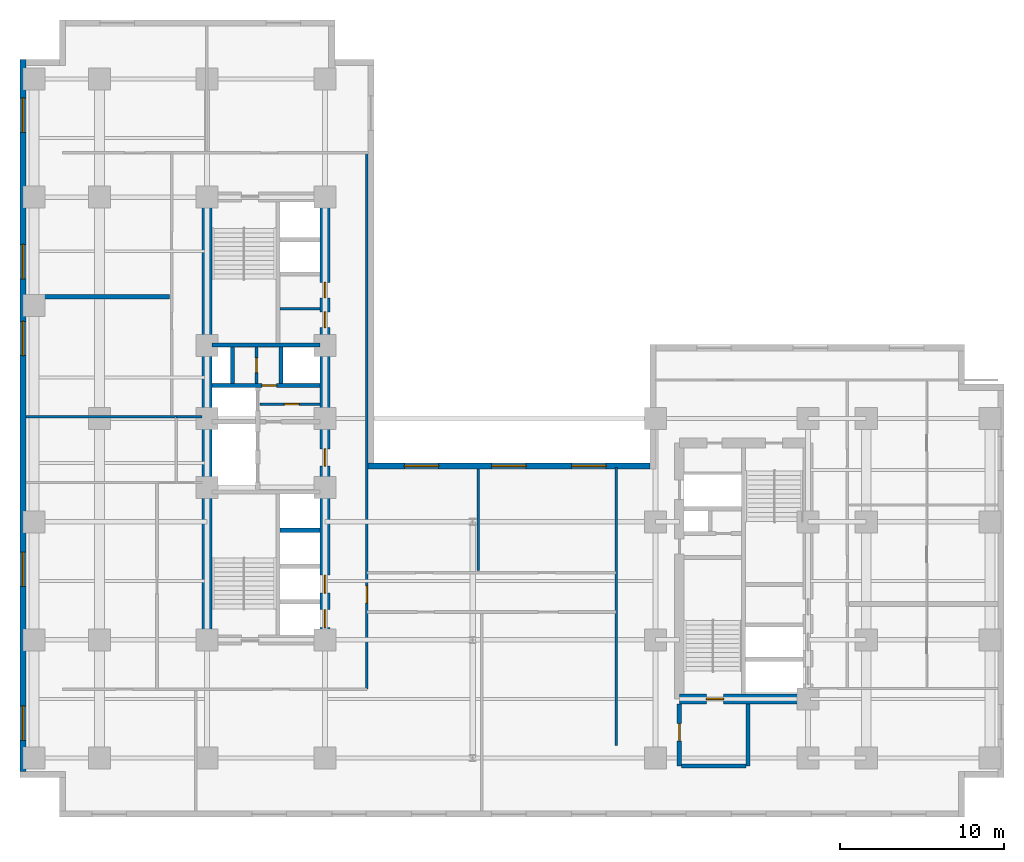
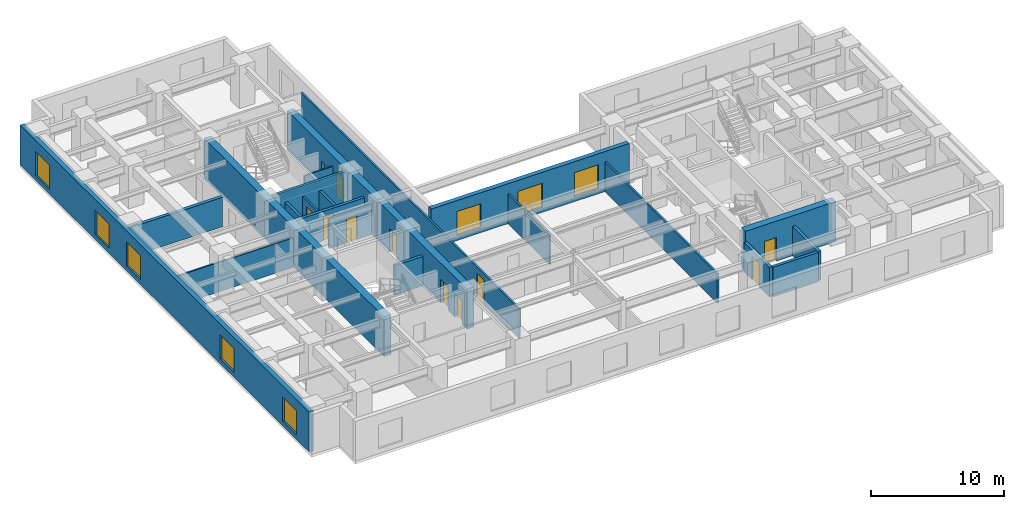
# One storey, part 4 of 9: 23 walls, 11 doors, 8 windows, 19 openings.
"""IFC4 building model written with IfcOpenShell, lengths in metres."""

from ifc_helpers import new_model, entity, si_unit, converted_unit, direction, frame, origin_with_axes, origin_2d_with_axis, place, context, subcontext, project, spatial, polyline, rectangle, outline, extrude, material, layer, layer_set, type_object, element, fill, save


model = new_model("IFC4")

# Units and contexts
model_context = context("Model", 3, precision=1e-05, world=origin_with_axes(), true_north=direction((0.0, 1.0)))
body_context = subcontext(model_context, "Body", "Model", "MODEL_VIEW")
ifc_project = project(units=[si_unit("LENGTHUNIT", "METRE"), si_unit("AREAUNIT", "SQUARE_METRE"), si_unit("VOLUMEUNIT", "CUBIC_METRE"), converted_unit("PLANEANGLEUNIT", "DEGREE", entity("IfcPlaneAngleMeasure", 0.017453292519943295), si_unit("PLANEANGLEUNIT", "RADIAN"), dimensions=[0, 0, 0, 0, 0, 0, 0]), si_unit("MASSUNIT", "GRAM", prefix="KILO"), si_unit("THERMODYNAMICTEMPERATUREUNIT", "KELVIN")], contexts=[model_context])

# Site, building, storey
site_placement = place(None, origin_with_axes())
site = spatial("IfcSite", under=ifc_project, at=site_placement, CompositionType="ELEMENT")
building_placement = place(site_placement, origin_with_axes())
building = spatial("IfcBuilding", under=site, at=building_placement, Name="Varnlund Millrace Tower", CompositionType="ELEMENT")
storey_placement = place(building_placement, frame((0.0, 0.0, 32.7), z_axis=(0.0, 0.0, 1.0), x_axis=(1.0, 0.0, 0.0)))
storey = spatial("IfcBuildingStorey", under=building, at=storey_placement, Name="L07", CompositionType="ELEMENT", Elevation=32.7)

# Wall
ifc_material_1 = material(Name="Concrete C80/95", Category="concrete")
ifc_layer_1 = layer(ifc_material_1, 0.6, Name="Concrete C80/95")
ifc_layer_set_1 = layer_set([ifc_layer_1], Name="Concrete C80/95")
wall_type_1 = type_object("IfcWallType", Name="Type-CoreWall-Shear-600-C80", PredefinedType="SHEAR", material=ifc_layer_set_1)
wall_1_placement = place(storey_placement, frame((11.4, 10.8, 0.0), z_axis=(0.0, 0.0, 1.0), x_axis=(0.0, 1.0, 0.0)))
element("IfcWall", 1, at=wall_1_placement, inside=storey, type_object=wall_type_1, Name="Type-CoreWall-Shear-600-C80", PredefinedType="SHEAR", context=body_context, shape_type="SweptSolid", body=[
    extrude(outline(polyline([(0.0, -0.3), (27.0, -0.3), (27.0, 0.3), (0.0, 0.3), (0.0, -0.3)])), origin_with_axes(), (0.0, 0.0, 1.0), 3.66),
])

# Wall, openings, doors
wall_2_placement = place(storey_placement, frame((18.6, 10.8, 0.0), z_axis=(0.0, 0.0, 1.0), x_axis=(0.0, 1.0, 0.0)))
wall_2 = element("IfcWall", 2, at=wall_2_placement, inside=storey, type_object=wall_type_1, Name="Type-CoreWall-Shear-600-C80", PredefinedType="SHEAR", context=body_context, shape_type="SweptSolid", body=[
    extrude(outline(polyline([(0.0, -0.3), (13.5, -0.3), (13.5, 0.3), (0.0, 0.3), (0.0, -0.3)])), origin_with_axes(), (0.0, 0.0, 1.0), 3.66),
])
opening_1_placement = place(wall_2_placement, frame((1.3, 0.0, 0.0), z_axis=(0.0, 0.0, 1.0), x_axis=(1.0, 0.0, 0.0)))
opening_1 = element("IfcOpeningElement", 3, at=opening_1_placement, cuts=wall_2, Name="Opening L07:LD-ELV-L1", PredefinedType="OPENING", context=body_context, shape_type="SweptSolid", body=[
    extrude(rectangle(XDim=1.1, YDim=0.62, at=origin_2d_with_axis()), origin_with_axes(), (0.0, 0.0, 1.0), 2.15),
])
opening_2_placement = place(wall_2_placement, frame((3.4, 0.0, 0.0), z_axis=(0.0, 0.0, 1.0), x_axis=(1.0, 0.0, 0.0)))
opening_2 = element("IfcOpeningElement", 4, at=opening_2_placement, cuts=wall_2, Name="Opening L07:LD-ELV-L2", PredefinedType="OPENING", context=body_context, shape_type="SweptSolid", body=[
    extrude(rectangle(XDim=1.1, YDim=0.62, at=origin_2d_with_axis()), origin_with_axes(), (0.0, 0.0, 1.0), 2.15),
])
opening_3_placement = place(wall_2_placement, frame((11.125, 0.0, 0.0), z_axis=(0.0, 0.0, 1.0), x_axis=(1.0, 0.0, 0.0)))
opening_3 = element("IfcOpeningElement", 5, at=opening_3_placement, cuts=wall_2, Name="Opening L07:DR-FFLOB-A", PredefinedType="OPENING", context=body_context, shape_type="SweptSolid", body=[
    extrude(rectangle(XDim=1.05, YDim=0.62, at=origin_2d_with_axis()), origin_with_axes(), (0.0, 0.0, 1.0), 2.15),
])
ifc_material_2 = material(Name="Smoke-barrier hollow steel fire door", Category="steel")
door_type_1 = type_object("IfcDoorType", Name="Type-FireDoor-Lobby-1050X2150", OperationType="NOTDEFINED", PredefinedType="DOOR", material=ifc_material_2)
door_1_placement = place(wall_2_placement, frame((11.125, 0.0, 0.0), z_axis=(0.0, 0.0, 1.0), x_axis=(1.0, 0.0, 0.0)))
door_1 = element("IfcDoor", 6, at=door_1_placement, inside=storey, type_object=door_type_1, Name="Type-FireDoor-Lobby-1050X2150", OperationType="SINGLE_SWING_LEFT", OverallHeight=2.15, OverallWidth=1.05, PredefinedType="DOOR", context=body_context, shape_type="SweptSolid", body=[
    extrude(rectangle(XDim=1.05, YDim=0.09, at=origin_2d_with_axis()), origin_with_axes(), (0.0, 0.0, 1.0), 2.15),
])
fill(opening_3, door_1)
ifc_material_3 = material(Name="Stainless and architectural bronze sliding landing door")
door_type_2 = type_object("IfcDoorType", Name="Type-LiftLandingDoor-1100X2150", OperationType="NOTDEFINED", PredefinedType="DOOR", material=ifc_material_3)
door_2_placement = place(wall_2_placement, frame((1.3, 0.0, 0.0), z_axis=(0.0, 0.0, 1.0), x_axis=(1.0, 0.0, 0.0)))
door_2 = element("IfcDoor", 7, at=door_2_placement, inside=storey, type_object=door_type_2, Name="Type-LiftLandingDoor-1100X2150", OperationType="SLIDING_TO_LEFT", OverallHeight=2.15, OverallWidth=1.1, PredefinedType="DOOR", context=body_context, shape_type="SweptSolid", body=[
    extrude(rectangle(XDim=1.1, YDim=0.09, at=origin_2d_with_axis()), origin_with_axes(), (0.0, 0.0, 1.0), 2.15),
])
fill(opening_1, door_2)
door_3_placement = place(wall_2_placement, frame((3.4, 0.0, 0.0), z_axis=(0.0, 0.0, 1.0), x_axis=(1.0, 0.0, 0.0)))
door_3 = element("IfcDoor", 8, at=door_3_placement, inside=storey, type_object=door_type_2, Name="Type-LiftLandingDoor-1100X2150", OperationType="SLIDING_TO_RIGHT", OverallHeight=2.15, OverallWidth=1.1, PredefinedType="DOOR", context=body_context, shape_type="SweptSolid", body=[
    extrude(rectangle(XDim=1.1, YDim=0.09, at=origin_2d_with_axis()), origin_with_axes(), (0.0, 0.0, 1.0), 2.15),
])
fill(opening_2, door_3)

wall_3_placement = place(storey_placement, frame((18.6, 24.3, 0.0), z_axis=(0.0, 0.0, 1.0), x_axis=(0.0, 1.0, 0.0)))
wall_3 = element("IfcWall", 9, at=wall_3_placement, inside=storey, type_object=wall_type_1, Name="Type-CoreWall-Shear-600-C80", PredefinedType="SHEAR", context=body_context, shape_type="SweptSolid", body=[
    extrude(outline(polyline([(0.0, -0.3), (13.5, -0.3), (13.5, 0.3), (0.0, 0.3), (0.0, -0.3)])), origin_with_axes(), (0.0, 0.0, 1.0), 3.66),
])
opening_4_placement = place(wall_3_placement, frame((6.025, 0.0, 0.0), z_axis=(0.0, 0.0, 1.0), x_axis=(1.0, 0.0, 0.0)))
opening_4 = element("IfcOpeningElement", 10, at=opening_4_placement, cuts=wall_3, Name="Opening L07:DR-CA-WC1", PredefinedType="OPENING", context=body_context, shape_type="SweptSolid", body=[
    extrude(rectangle(XDim=0.95, YDim=0.62, at=origin_2d_with_axis()), origin_with_axes(), (0.0, 0.0, 1.0), 2.15),
])
opening_5_placement = place(wall_3_placement, frame((7.825, 0.0, 0.0), z_axis=(0.0, 0.0, 1.0), x_axis=(1.0, 0.0, 0.0)))
opening_5 = element("IfcOpeningElement", 11, at=opening_5_placement, cuts=wall_3, Name="Opening L07:DR-CA-WC2", PredefinedType="OPENING", context=body_context, shape_type="SweptSolid", body=[
    extrude(rectangle(XDim=0.95, YDim=0.62, at=origin_2d_with_axis()), origin_with_axes(), (0.0, 0.0, 1.0), 2.15),
])
ifc_material_4 = material(Name="Fire-rated hollow steel core service door", Category="steel")
door_type_3 = type_object("IfcDoorType", Name="Type-FireDoor-Service-950X2150", OperationType="NOTDEFINED", PredefinedType="DOOR", material=ifc_material_4)
door_4_placement = place(wall_3_placement, frame((6.025, 0.0, 0.0), z_axis=(0.0, 0.0, 1.0), x_axis=(1.0, 0.0, 0.0)))
door_4 = element("IfcDoor", 12, at=door_4_placement, inside=storey, type_object=door_type_3, Name="Type-FireDoor-Service-950X2150", OperationType="SINGLE_SWING_RIGHT", OverallHeight=2.15, OverallWidth=0.95, PredefinedType="DOOR", context=body_context, shape_type="SweptSolid", body=[
    extrude(rectangle(XDim=0.95, YDim=0.09, at=origin_2d_with_axis()), origin_with_axes(), (0.0, 0.0, 1.0), 2.15),
])
fill(opening_4, door_4)
door_5_placement = place(wall_3_placement, frame((7.825, 0.0, 0.0), z_axis=(0.0, 0.0, 1.0), x_axis=(1.0, 0.0, 0.0)))
door_5 = element("IfcDoor", 13, at=door_5_placement, inside=storey, type_object=door_type_3, Name="Type-FireDoor-Service-950X2150", OperationType="SINGLE_SWING_RIGHT", OverallHeight=2.15, OverallWidth=0.95, PredefinedType="DOOR", context=body_context, shape_type="SweptSolid", body=[
    extrude(rectangle(XDim=0.95, YDim=0.09, at=origin_2d_with_axis()), origin_with_axes(), (0.0, 0.0, 1.0), 2.15),
])
fill(opening_5, door_5)

# Wall, opening, door
wall_4_placement = place(storey_placement, frame((40.2, 7.2, 0.0), z_axis=(0.0, 0.0, 1.0), x_axis=(1.0, 0.0, 0.0)))
wall_4 = element("IfcWall", 14, at=wall_4_placement, inside=storey, type_object=wall_type_1, Name="Type-CoreWall-Shear-600-C80", PredefinedType="SHEAR", context=body_context, shape_type="SweptSolid", body=[
    extrude(outline(polyline([(0.0, -0.3), (7.85, -0.3), (7.85, 0.3), (0.0, 0.3), (0.0, -0.3)])), origin_with_axes(), (0.0, 0.0, 1.0), 3.66),
])
opening_6_placement = place(wall_4_placement, frame((2.175, 0.0, 0.0), z_axis=(0.0, 0.0, 1.0), x_axis=(1.0, 0.0, 0.0)))
opening_6 = element("IfcOpeningElement", 15, at=opening_6_placement, cuts=wall_4, Name="Opening L07:DR-STB1", PredefinedType="OPENING", context=body_context, shape_type="SweptSolid", body=[
    extrude(rectangle(XDim=1.05, YDim=0.62, at=origin_2d_with_axis()), origin_with_axes(), (0.0, 0.0, 1.0), 2.15),
])
ifc_material_5 = material(Name="Fire-rated hollow steel door", Category="steel")
door_type_4 = type_object("IfcDoorType", Name="Type-FireDoor-Stair-1050X2150", OperationType="NOTDEFINED", PredefinedType="DOOR", material=ifc_material_5)
door_6_placement = place(wall_4_placement, frame((2.175, 0.0, 0.0), z_axis=(0.0, 0.0, 1.0), x_axis=(1.0, 0.0, 0.0)))
door_6 = element("IfcDoor", 16, at=door_6_placement, inside=storey, type_object=door_type_4, Name="Type-FireDoor-Stair-1050X2150", OperationType="SINGLE_SWING_LEFT", OverallHeight=2.15, OverallWidth=1.05, PredefinedType="DOOR", context=body_context, shape_type="SweptSolid", body=[
    extrude(rectangle(XDim=1.05, YDim=0.09, at=origin_2d_with_axis()), origin_with_axes(), (0.0, 0.0, 1.0), 2.15),
])
fill(opening_6, door_6)

# Wall, openings, windows
ifc_material_6 = material(Name="Precast concrete C50/60", Category="concrete")
ifc_layer_2 = layer(ifc_material_6, 0.38, Name="Precast concrete C50/60")
ifc_layer_set_2 = layer_set([ifc_layer_2], Name="Precast concrete C50/60")
wall_type_2 = type_object("IfcWallType", Name="Type-ExtWall-Precast-Tube-380", PredefinedType="SOLIDWALL", material=ifc_layer_set_2)
wall_5_placement = place(storey_placement, frame((0.19, 2.78, 0.0), z_axis=(0.0, 0.0, 1.0), x_axis=(0.0, 1.0, 0.0)))
wall_5 = element("IfcWall", 17, at=wall_5_placement, inside=storey, type_object=wall_type_2, Name="Type-ExtWall-Precast-Tube-380", PredefinedType="SOLIDWALL", context=body_context, shape_type="SweptSolid", body=[
    extrude(outline(polyline([(0.0, -0.19), (43.42, -0.19), (43.42, 0.19), (0.0, 0.19), (0.0, -0.19)])), origin_with_axes(), (0.0, 0.0, 1.0), 3.66),
])
opening_7_placement = place(wall_5_placement, frame((2.946, 0.0, 0.45), z_axis=(0.0, 0.0, 1.0), x_axis=(1.0, 0.0, 0.0)))
opening_7 = element("IfcOpeningElement", 18, at=opening_7_placement, cuts=wall_5, Name="Opening L07:WN-16", PredefinedType="OPENING", context=body_context, shape_type="SweptSolid", body=[
    extrude(rectangle(XDim=2.1, YDim=0.4, at=origin_2d_with_axis()), origin_with_axes(), (0.0, 0.0, 1.0), 2.2),
])
opening_8_placement = place(wall_5_placement, frame((12.328, 0.0, 0.45), z_axis=(0.0, 0.0, 1.0), x_axis=(1.0, 0.0, 0.0)))
opening_8 = element("IfcOpeningElement", 19, at=opening_8_placement, cuts=wall_5, Name="Opening L07:WN-17", PredefinedType="OPENING", context=body_context, shape_type="SweptSolid", body=[
    extrude(rectangle(XDim=2.1, YDim=0.4, at=origin_2d_with_axis()), origin_with_axes(), (0.0, 0.0, 1.0), 2.2),
])
opening_9_placement = place(wall_5_placement, frame((26.401, 0.0, 0.45), z_axis=(0.0, 0.0, 1.0), x_axis=(1.0, 0.0, 0.0)))
opening_9 = element("IfcOpeningElement", 20, at=opening_9_placement, cuts=wall_5, Name="Opening L07:WN-18", PredefinedType="OPENING", context=body_context, shape_type="SweptSolid", body=[
    extrude(rectangle(XDim=2.1, YDim=0.4, at=origin_2d_with_axis()), origin_with_axes(), (0.0, 0.0, 1.0), 2.2),
])
opening_10_placement = place(wall_5_placement, frame((31.092, 0.0, 0.45), z_axis=(0.0, 0.0, 1.0), x_axis=(1.0, 0.0, 0.0)))
opening_10 = element("IfcOpeningElement", 21, at=opening_10_placement, cuts=wall_5, Name="Opening L07:WN-19", PredefinedType="OPENING", context=body_context, shape_type="SweptSolid", body=[
    extrude(rectangle(XDim=2.1, YDim=0.4, at=origin_2d_with_axis()), origin_with_axes(), (0.0, 0.0, 1.0), 2.2),
])
opening_11_placement = place(wall_5_placement, frame((40.024, 0.0, 0.45), z_axis=(0.0, 0.0, 1.0), x_axis=(1.0, 0.0, 0.0)))
opening_11 = element("IfcOpeningElement", 22, at=opening_11_placement, cuts=wall_5, Name="Opening L07:WN-20", PredefinedType="OPENING", context=body_context, shape_type="SweptSolid", body=[
    extrude(rectangle(XDim=2.1, YDim=0.4, at=origin_2d_with_axis()), origin_with_axes(), (0.0, 0.0, 1.0), 2.2),
])
ifc_material_7 = material(Name="Argon low-e triple glazing in thermally broken bronze frame", Category="glass")
window_type = type_object("IfcWindowType", Name="Type-Window-Punched-2100X2200", PartitioningType="SINGLE_PANEL", PredefinedType="WINDOW", material=ifc_material_7)
window_1_placement = place(wall_5_placement, frame((2.946, 0.0, 0.45), z_axis=(0.0, 0.0, 1.0), x_axis=(1.0, 0.0, 0.0)))
window_1 = element("IfcWindow", 23, at=window_1_placement, inside=storey, type_object=window_type, Name="Type-Window-Punched-2100X2200", OverallHeight=2.2, OverallWidth=2.1, PredefinedType="WINDOW", context=body_context, shape_type="SweptSolid", body=[
    extrude(rectangle(XDim=2.1, YDim=0.09, at=origin_2d_with_axis()), origin_with_axes(), (0.0, 0.0, 1.0), 2.2),
])
fill(opening_7, window_1)
window_2_placement = place(wall_5_placement, frame((12.328, 0.0, 0.45), z_axis=(0.0, 0.0, 1.0), x_axis=(1.0, 0.0, 0.0)))
window_2 = element("IfcWindow", 24, at=window_2_placement, inside=storey, type_object=window_type, Name="Type-Window-Punched-2100X2200", OverallHeight=2.2, OverallWidth=2.1, PredefinedType="WINDOW", context=body_context, shape_type="SweptSolid", body=[
    extrude(rectangle(XDim=2.1, YDim=0.09, at=origin_2d_with_axis()), origin_with_axes(), (0.0, 0.0, 1.0), 2.2),
])
fill(opening_8, window_2)
window_3_placement = place(wall_5_placement, frame((26.401, 0.0, 0.45), z_axis=(0.0, 0.0, 1.0), x_axis=(1.0, 0.0, 0.0)))
window_3 = element("IfcWindow", 25, at=window_3_placement, inside=storey, type_object=window_type, Name="Type-Window-Punched-2100X2200", OverallHeight=2.2, OverallWidth=2.1, PredefinedType="WINDOW", context=body_context, shape_type="SweptSolid", body=[
    extrude(rectangle(XDim=2.1, YDim=0.09, at=origin_2d_with_axis()), origin_with_axes(), (0.0, 0.0, 1.0), 2.2),
])
fill(opening_9, window_3)
window_4_placement = place(wall_5_placement, frame((31.092, 0.0, 0.45), z_axis=(0.0, 0.0, 1.0), x_axis=(1.0, 0.0, 0.0)))
window_4 = element("IfcWindow", 26, at=window_4_placement, inside=storey, type_object=window_type, Name="Type-Window-Punched-2100X2200", OverallHeight=2.2, OverallWidth=2.1, PredefinedType="WINDOW", context=body_context, shape_type="SweptSolid", body=[
    extrude(rectangle(XDim=2.1, YDim=0.09, at=origin_2d_with_axis()), origin_with_axes(), (0.0, 0.0, 1.0), 2.2),
])
fill(opening_10, window_4)
window_5_placement = place(wall_5_placement, frame((40.024, 0.0, 0.45), z_axis=(0.0, 0.0, 1.0), x_axis=(1.0, 0.0, 0.0)))
window_5 = element("IfcWindow", 27, at=window_5_placement, inside=storey, type_object=window_type, Name="Type-Window-Punched-2100X2200", OverallHeight=2.2, OverallWidth=2.1, PredefinedType="WINDOW", context=body_context, shape_type="SweptSolid", body=[
    extrude(rectangle(XDim=2.1, YDim=0.09, at=origin_2d_with_axis()), origin_with_axes(), (0.0, 0.0, 1.0), 2.2),
])
fill(opening_11, window_5)

wall_6_placement = place(storey_placement, frame((21.22, 21.41, 0.0), z_axis=(0.0, 0.0, 1.0), x_axis=(1.0, 0.0, 0.0)))
wall_6 = element("IfcWall", 28, at=wall_6_placement, inside=storey, type_object=wall_type_2, Name="Type-ExtWall-Precast-Tube-380", PredefinedType="SOLIDWALL", context=body_context, shape_type="SweptSolid", body=[
    extrude(outline(polyline([(0.0, -0.19), (17.18, -0.19), (17.18, 0.19), (0.0, 0.19), (0.0, -0.19)])), origin_with_axes(), (0.0, 0.0, 1.0), 3.66),
])
opening_12_placement = place(wall_6_placement, frame((3.263, 0.0, 0.45), z_axis=(0.0, 0.0, 1.0), x_axis=(1.0, 0.0, 0.0)))
opening_12 = element("IfcOpeningElement", 29, at=opening_12_placement, cuts=wall_6, Name="Opening L07:WN-24", PredefinedType="OPENING", context=body_context, shape_type="SweptSolid", body=[
    extrude(rectangle(XDim=2.1, YDim=0.4, at=origin_2d_with_axis()), origin_with_axes(), (0.0, 0.0, 1.0), 2.2),
])
opening_13_placement = place(wall_6_placement, frame((8.59, 0.0, 0.45), z_axis=(0.0, 0.0, 1.0), x_axis=(1.0, 0.0, 0.0)))
opening_13 = element("IfcOpeningElement", 30, at=opening_13_placement, cuts=wall_6, Name="Opening L07:WN-25", PredefinedType="OPENING", context=body_context, shape_type="SweptSolid", body=[
    extrude(rectangle(XDim=2.1, YDim=0.4, at=origin_2d_with_axis()), origin_with_axes(), (0.0, 0.0, 1.0), 2.2),
])
opening_14_placement = place(wall_6_placement, frame((13.467, 0.0, 0.45), z_axis=(0.0, 0.0, 1.0), x_axis=(1.0, 0.0, 0.0)))
opening_14 = element("IfcOpeningElement", 31, at=opening_14_placement, cuts=wall_6, Name="Opening L07:WN-26", PredefinedType="OPENING", context=body_context, shape_type="SweptSolid", body=[
    extrude(rectangle(XDim=2.1, YDim=0.4, at=origin_2d_with_axis()), origin_with_axes(), (0.0, 0.0, 1.0), 2.2),
])
window_6_placement = place(wall_6_placement, frame((3.263, 0.0, 0.45), z_axis=(0.0, 0.0, 1.0), x_axis=(1.0, 0.0, 0.0)))
window_6 = element("IfcWindow", 32, at=window_6_placement, inside=storey, type_object=window_type, Name="Type-Window-Punched-2100X2200", OverallHeight=2.2, OverallWidth=2.1, PredefinedType="WINDOW", context=body_context, shape_type="SweptSolid", body=[
    extrude(rectangle(XDim=2.1, YDim=0.09, at=origin_2d_with_axis()), origin_with_axes(), (0.0, 0.0, 1.0), 2.2),
])
fill(opening_12, window_6)
window_7_placement = place(wall_6_placement, frame((8.59, 0.0, 0.45), z_axis=(0.0, 0.0, 1.0), x_axis=(1.0, 0.0, 0.0)))
window_7 = element("IfcWindow", 33, at=window_7_placement, inside=storey, type_object=window_type, Name="Type-Window-Punched-2100X2200", OverallHeight=2.2, OverallWidth=2.1, PredefinedType="WINDOW", context=body_context, shape_type="SweptSolid", body=[
    extrude(rectangle(XDim=2.1, YDim=0.09, at=origin_2d_with_axis()), origin_with_axes(), (0.0, 0.0, 1.0), 2.2),
])
fill(opening_13, window_7)
window_8_placement = place(wall_6_placement, frame((13.467, 0.0, 0.45), z_axis=(0.0, 0.0, 1.0), x_axis=(1.0, 0.0, 0.0)))
window_8 = element("IfcWindow", 34, at=window_8_placement, inside=storey, type_object=window_type, Name="Type-Window-Punched-2100X2200", OverallHeight=2.2, OverallWidth=2.1, PredefinedType="WINDOW", context=body_context, shape_type="SweptSolid", body=[
    extrude(rectangle(XDim=2.1, YDim=0.09, at=origin_2d_with_axis()), origin_with_axes(), (0.0, 0.0, 1.0), 2.2),
])
fill(opening_14, window_8)

# Wall
ifc_material_8 = material(Name="Double-stud STC-60 conference acoustic partition", Category="gypsum")
ifc_layer_3 = layer(ifc_material_8, 0.28, Name="Double-stud STC-60 conference acoustic partition")
ifc_layer_set_3 = layer_set([ifc_layer_3], Name="Double-stud STC-60 conference acoustic partition")
wall_type_3 = type_object("IfcWallType", Name="Type-Partition-Acoustic-280", PredefinedType="PARTITIONING", material=ifc_layer_set_3)
wall_7_placement = place(storey_placement, frame((0.375, 31.726, 0.0), z_axis=(0.0, 0.0, 1.0), x_axis=(1.0, 0.0, 0.0)))
element("IfcWall", 35, at=wall_7_placement, inside=storey, type_object=wall_type_3, Name="Type-Partition-Acoustic-280", PredefinedType="PARTITIONING", context=body_context, shape_type="SweptSolid", body=[
    extrude(outline(polyline([(0.0, -0.14), (8.755, -0.14), (8.755, 0.14), (0.0, 0.14), (0.0, -0.14)])), origin_with_axes(), (0.0, 0.0, 1.0), 2.7),
])

# Wall, opening, door
ifc_material_9 = material(Name="Fire-rated gypsum board on cold-formed steel framing", Category="steel")
ifc_layer_4 = layer(ifc_material_9, 0.16, Name="Fire-rated gypsum board on cold-formed steel framing")
ifc_layer_set_4 = layer_set([ifc_layer_4], Name="Fire-rated gypsum board on cold-formed steel framing")
wall_type_4 = type_object("IfcWallType", Name="Type-Partition-Corridor-160", PredefinedType="PARTITIONING", material=ifc_layer_set_4)
wall_8_placement = place(storey_placement, frame((14.62, 25.18, 0.0), z_axis=(0.0, 0.0, 1.0), x_axis=(1.0, 0.0, 0.0)))
wall_8 = element("IfcWall", 36, at=wall_8_placement, inside=storey, type_object=wall_type_4, Name="Type-Partition-Corridor-160", PredefinedType="PARTITIONING", context=body_context, shape_type="SweptSolid", body=[
    extrude(outline(polyline([(0.0, -0.08), (3.68, -0.08), (3.68, 0.08), (0.0, 0.08), (0.0, -0.08)])), origin_with_axes(), (0.0, 0.0, 1.0), 2.7),
])
opening_15_placement = place(wall_8_placement, frame((1.95, 0.0, 0.0), z_axis=(0.0, 0.0, 1.0), x_axis=(1.0, 0.0, 0.0)))
opening_15 = element("IfcOpeningElement", 37, at=opening_15_placement, cuts=wall_8, Name="Opening L07:DR-CA-SUB2", PredefinedType="OPENING", context=body_context, shape_type="SweptSolid", body=[
    extrude(rectangle(XDim=0.9, YDim=0.18, at=origin_2d_with_axis()), origin_with_axes(), (0.0, 0.0, 1.0), 2.15),
])
ifc_material_10 = material(Name="Painted steel riser and closet door", Category="steel")
door_type_5 = type_object("IfcDoorType", Name="Type-IntDoor-Closet-900X2150", OperationType="NOTDEFINED", PredefinedType="DOOR", material=ifc_material_10)
door_7_placement = place(wall_8_placement, frame((1.95, 0.0, 0.0), z_axis=(0.0, 0.0, 1.0), x_axis=(1.0, 0.0, 0.0)))
door_7 = element("IfcDoor", 38, at=door_7_placement, inside=storey, type_object=door_type_5, Name="Type-IntDoor-Closet-900X2150", OperationType="SINGLE_SWING_LEFT", OverallHeight=2.15, OverallWidth=0.9, PredefinedType="DOOR", context=body_context, shape_type="SweptSolid", body=[
    extrude(rectangle(XDim=0.9, YDim=0.09, at=origin_2d_with_axis()), origin_with_axes(), (0.0, 0.0, 1.0), 2.15),
])
fill(opening_15, door_7)

wall_9_placement = place(storey_placement, frame((14.42, 26.45, 0.0), z_axis=(0.0, 0.0, 1.0), x_axis=(0.0, 1.0, 0.0)))
wall_9 = element("IfcWall", 39, at=wall_9_placement, inside=storey, type_object=wall_type_4, Name="Type-Partition-Corridor-160", PredefinedType="PARTITIONING", context=body_context, shape_type="SweptSolid", body=[
    extrude(outline(polyline([(0.0, -0.08), (2.2, -0.08), (2.2, 0.08), (0.0, 0.08), (0.0, -0.08)])), origin_with_axes(), (0.0, 0.0, 1.0), 2.7),
])
opening_16_placement = place(wall_9_placement, frame((1.1, 0.0, 0.0), z_axis=(0.0, 0.0, 1.0), x_axis=(1.0, 0.0, 0.0)))
opening_16 = element("IfcOpeningElement", 40, at=opening_16_placement, cuts=wall_9, Name="Opening L07:DR-CA-EL2", PredefinedType="OPENING", context=body_context, shape_type="SweptSolid", body=[
    extrude(rectangle(XDim=0.9, YDim=0.18, at=origin_2d_with_axis()), origin_with_axes(), (0.0, 0.0, 1.0), 2.15),
])
door_8_placement = place(wall_9_placement, frame((1.1, 0.0, 0.0), z_axis=(0.0, 0.0, 1.0), x_axis=(1.0, 0.0, 0.0)))
door_8 = element("IfcDoor", 41, at=door_8_placement, inside=storey, type_object=door_type_5, Name="Type-IntDoor-Closet-900X2150", OperationType="SINGLE_SWING_LEFT", OverallHeight=2.15, OverallWidth=0.9, PredefinedType="DOOR", context=body_context, shape_type="SweptSolid", body=[
    extrude(rectangle(XDim=0.9, YDim=0.09, at=origin_2d_with_axis()), origin_with_axes(), (0.0, 0.0, 1.0), 2.15),
])
fill(opening_16, door_8)

wall_10_placement = place(storey_placement, frame((21.15, 7.8, 0.0), z_axis=(0.0, 0.0, 1.0), x_axis=(0.0, 1.0, 0.0)))
wall_10 = element("IfcWall", 42, at=wall_10_placement, inside=storey, type_object=wall_type_4, Name="Type-Partition-Corridor-160", PredefinedType="PARTITIONING", context=body_context, shape_type="SweptSolid", body=[
    extrude(outline(polyline([(0.0, -0.08), (32.7, -0.08), (32.7, 0.08), (0.0, 0.08), (0.0, -0.08)])), origin_with_axes(), (0.0, 0.0, 1.0), 2.7),
])
opening_17_placement = place(wall_10_placement, frame((5.775, 0.0, 0.0), z_axis=(0.0, 0.0, 1.0), x_axis=(1.0, 0.0, 0.0)))
opening_17 = element("IfcOpeningElement", 43, at=opening_17_placement, cuts=wall_10, Name="Opening L07:DR-KN-W", PredefinedType="OPENING", context=body_context, shape_type="SweptSolid", body=[
    extrude(rectangle(XDim=1.05, YDim=0.18, at=origin_2d_with_axis()), origin_with_axes(), (0.0, 0.0, 1.0), 2.15),
])
door_9_placement = place(wall_10_placement, frame((5.775, 0.0, 0.0), z_axis=(0.0, 0.0, 1.0), x_axis=(1.0, 0.0, 0.0)))
door_9 = element("IfcDoor", 44, at=door_9_placement, inside=storey, type_object=door_type_1, Name="Type-FireDoor-Lobby-1050X2150", OperationType="SINGLE_SWING_LEFT", OverallHeight=2.15, OverallWidth=1.05, PredefinedType="DOOR", context=body_context, shape_type="SweptSolid", body=[
    extrude(rectangle(XDim=1.05, YDim=0.09, at=origin_2d_with_axis()), origin_with_axes(), (0.0, 0.0, 1.0), 2.15),
])
fill(opening_17, door_9)

# Walls
wall_11_placement = place(storey_placement, frame((36.35, 4.35, 0.0), z_axis=(0.0, 0.0, 1.0), x_axis=(0.0, 1.0, 0.0)))
element("IfcWall", 45, at=wall_11_placement, inside=storey, type_object=wall_type_4, Name="Type-Partition-Corridor-160", PredefinedType="PARTITIONING", context=body_context, shape_type="SweptSolid", body=[
    extrude(outline(polyline([(0.0, -0.08), (16.95, -0.08), (16.95, 0.08), (0.0, 0.08), (0.0, -0.08)])), origin_with_axes(), (0.0, 0.0, 1.0), 2.7),
])
ifc_material_11 = material(Name="Acoustic STC-50 gypsum board partition", Category="gypsum")
ifc_layer_5 = layer(ifc_material_11, 0.15, Name="Acoustic STC-50 gypsum board partition")
ifc_layer_set_5 = layer_set([ifc_layer_5], Name="Acoustic STC-50 gypsum board partition")
wall_type_5 = type_object("IfcWallType", Name="Type-Partition-Demising-150", PredefinedType="PARTITIONING", material=ifc_layer_set_5)
wall_12_placement = place(storey_placement, frame((27.953, 15.02, 0.0), z_axis=(0.0, 0.0, 1.0), x_axis=(0.0, 1.0, 0.0)))
element("IfcWall", 46, at=wall_12_placement, inside=storey, type_object=wall_type_5, Name="Type-Partition-Demising-150", PredefinedType="PARTITIONING", context=body_context, shape_type="SweptSolid", body=[
    extrude(outline(polyline([(0.0, -0.075), (6.205, -0.075), (6.205, 0.075), (0.0, 0.075), (0.0, -0.075)])), origin_with_axes(), (0.0, 0.0, 1.0), 2.7),
])
ifc_material_12 = material(Name="Moisture-resistant gypsum restroom partition", Category="gypsum")
ifc_layer_6 = layer(ifc_material_12, 0.14, Name="Moisture-resistant gypsum restroom partition")
ifc_layer_set_6 = layer_set([ifc_layer_6], Name="Moisture-resistant gypsum restroom partition")
wall_type_6 = type_object("IfcWallType", Name="Type-Partition-Wet-140", PredefinedType="PARTITIONING", material=ifc_layer_set_6)
wall_13_placement = place(storey_placement, frame((15.84, 31.0, 0.0), z_axis=(0.0, 0.0, 1.0), x_axis=(1.0, 0.0, 0.0)))
element("IfcWall", 47, at=wall_13_placement, inside=storey, type_object=wall_type_6, Name="Type-Partition-Wet-140", PredefinedType="PARTITIONING", context=body_context, shape_type="SweptSolid", body=[
    extrude(outline(polyline([(0.0, -0.07), (2.46, -0.07), (2.46, 0.07), (0.0, 0.07), (0.0, -0.07)])), origin_with_axes(), (0.0, 0.0, 1.0), 2.7),
])
wall_14_placement = place(storey_placement, frame((9.52, 24.4, 0.0), z_axis=(0.0, 0.0, 1.0), x_axis=(1.0, 0.0, 0.0)))
element("IfcWall", 48, at=wall_14_placement, inside=storey, type_object=wall_type_6, Name="Type-Partition-Wet-140", PredefinedType="PARTITIONING", context=body_context, shape_type="SweptSolid", body=[
    extrude(outline(polyline([(0.0, -0.07), (1.58, -0.07), (1.58, 0.07), (0.0, 0.07), (0.0, -0.07)])), origin_with_axes(), (0.0, 0.0, 1.0), 2.7),
])
wall_15_placement = place(storey_placement, frame((0.36, 24.4, 0.0), z_axis=(0.0, 0.0, 1.0), x_axis=(1.0, 0.0, 0.0)))
element("IfcWall", 49, at=wall_15_placement, inside=storey, type_object=wall_type_6, Name="Type-Partition-Wet-140", PredefinedType="PARTITIONING", context=body_context, shape_type="SweptSolid", body=[
    extrude(outline(polyline([(0.0, -0.07), (9.16, -0.07), (9.16, 0.07), (0.0, 0.07), (0.0, -0.07)])), origin_with_axes(), (0.0, 0.0, 1.0), 2.7),
])

# Wall, opening, door
ifc_material_13 = material(Name="Concrete C60/75", Category="concrete")
ifc_layer_7 = layer(ifc_material_13, 0.25, Name="Concrete C60/75")
ifc_layer_set_7 = layer_set([ifc_layer_7], Name="Concrete C60/75")
wall_type_7 = type_object("IfcWallType", Name="Type-ShaftWall-Fire-250", PredefinedType="SOLIDWALL", material=ifc_layer_set_7)
wall_16_placement = place(storey_placement, frame((11.7, 26.325, 0.0), z_axis=(0.0, 0.0, 1.0), x_axis=(1.0, 0.0, 0.0)))
wall_16 = element("IfcWall", 50, at=wall_16_placement, inside=storey, type_object=wall_type_7, Name="Type-ShaftWall-Fire-250", PredefinedType="SOLIDWALL", context=body_context, shape_type="SweptSolid", body=[
    extrude(outline(polyline([(0.0, -0.125), (6.6, -0.125), (6.6, 0.125), (0.0, 0.125), (0.0, -0.125)])), origin_with_axes(), (0.0, 0.0, 1.0), 2.7),
])
opening_18_placement = place(wall_16_placement, frame((3.5, 0.0, 0.0), z_axis=(0.0, 0.0, 1.0), x_axis=(1.0, 0.0, 0.0)))
opening_18 = element("IfcOpeningElement", 51, at=opening_18_placement, cuts=wall_16, Name="Opening L07:DR-CA-EL1", PredefinedType="OPENING", context=body_context, shape_type="SweptSolid", body=[
    extrude(rectangle(XDim=0.9, YDim=0.27, at=origin_2d_with_axis()), origin_with_axes(), (0.0, 0.0, 1.0), 2.15),
])
ifc_material_14 = material(Name="Fire-rated hollow steel service closet door", Category="steel")
door_type_6 = type_object("IfcDoorType", Name="Type-FireDoor-Closet-900X2150", OperationType="NOTDEFINED", PredefinedType="DOOR", material=ifc_material_14)
door_10_placement = place(wall_16_placement, frame((3.5, 0.0, 0.0), z_axis=(0.0, 0.0, 1.0), x_axis=(1.0, 0.0, 0.0)))
door_10 = element("IfcDoor", 52, at=door_10_placement, inside=storey, type_object=door_type_6, Name="Type-FireDoor-Closet-900X2150", OperationType="SINGLE_SWING_LEFT", OverallHeight=2.15, OverallWidth=0.9, PredefinedType="DOOR", context=body_context, shape_type="SweptSolid", body=[
    extrude(rectangle(XDim=0.9, YDim=0.09, at=origin_2d_with_axis()), origin_with_axes(), (0.0, 0.0, 1.0), 2.15),
])
fill(opening_18, door_10)

# Walls
for number, where, z_axis, x_axis, name in (
    (53, (12.96, 26.45, 0.0), (0.0, 0.0, 1.0), (0.0, 1.0, 0.0), "Type-ShaftWall-Fire-250"),
    (54, (15.925, 26.45, 0.0), (0.0, 0.0, 1.0), (0.0, 1.0, 0.0), "Type-ShaftWall-Fire-250"),
):
    element("IfcWall", number, at=place(storey_placement, frame(where, z_axis=z_axis, x_axis=x_axis)), inside=storey, type_object=wall_type_7, Name=name, PredefinedType="SOLIDWALL", context=body_context, shape_type="SweptSolid", body=[
        extrude(outline(polyline([(0.0, -0.125), (2.2, -0.125), (2.2, 0.125), (0.0, 0.125), (0.0, -0.125)])), origin_with_axes(), (0.0, 0.0, 1.0), 2.7),
    ])

# Wall, opening, door
wall_17_placement = place(storey_placement, frame((40.2, 3.1, 0.0), z_axis=(0.0, 0.0, 1.0), x_axis=(0.0, 1.0, 0.0)))
wall_17 = element("IfcWall", 55, at=wall_17_placement, inside=storey, type_object=wall_type_7, Name="Type-ShaftWall-Fire-250", PredefinedType="SOLIDWALL", context=body_context, shape_type="SweptSolid", body=[
    extrude(outline(polyline([(0.0, -0.125), (3.8, -0.125), (3.8, 0.125), (0.0, 0.125), (0.0, -0.125)])), origin_with_axes(), (0.0, 0.0, 1.0), 2.7),
])
opening_19_placement = place(wall_17_placement, frame((2.075, 0.0, 0.0), z_axis=(0.0, 0.0, 1.0), x_axis=(1.0, 0.0, 0.0)))
opening_19 = element("IfcOpeningElement", 56, at=opening_19_placement, cuts=wall_17, Name="Opening L07:DR-FFLOB-B", PredefinedType="OPENING", context=body_context, shape_type="SweptSolid", body=[
    extrude(rectangle(XDim=1.05, YDim=0.27, at=origin_2d_with_axis()), origin_with_axes(), (0.0, 0.0, 1.0), 2.15),
])
door_11_placement = place(wall_17_placement, frame((2.075, 0.0, 0.0), z_axis=(0.0, 0.0, 1.0), x_axis=(1.0, 0.0, 0.0)))
door_11 = element("IfcDoor", 57, at=door_11_placement, inside=storey, type_object=door_type_1, Name="Type-FireDoor-Lobby-1050X2150", OperationType="SINGLE_SWING_LEFT", OverallHeight=2.15, OverallWidth=1.05, PredefinedType="DOOR", context=body_context, shape_type="SweptSolid", body=[
    extrude(rectangle(XDim=1.05, YDim=0.09, at=origin_2d_with_axis()), origin_with_axes(), (0.0, 0.0, 1.0), 2.15),
])
fill(opening_19, door_11)

# Walls
wall_18_placement = place(storey_placement, frame((40.325, 3.1, 0.0), z_axis=(0.0, 0.0, 1.0), x_axis=(1.0, 0.0, 0.0)))
element("IfcWall", 58, at=wall_18_placement, inside=storey, type_object=wall_type_7, Name="Type-ShaftWall-Fire-250", PredefinedType="SOLIDWALL", context=body_context, shape_type="SweptSolid", body=[
    extrude(outline(polyline([(0.0, -0.125), (3.95, -0.125), (3.95, 0.125), (0.0, 0.125), (0.0, -0.125)])), origin_with_axes(), (0.0, 0.0, 1.0), 2.7),
])
wall_19_placement = place(storey_placement, frame((44.4, 3.1, 0.0), z_axis=(0.0, 0.0, 1.0), x_axis=(0.0, 1.0, 0.0)))
element("IfcWall", 59, at=wall_19_placement, inside=storey, type_object=wall_type_7, Name="Type-ShaftWall-Fire-250", PredefinedType="SOLIDWALL", context=body_context, shape_type="SweptSolid", body=[
    extrude(outline(polyline([(0.0, -0.125), (3.8, -0.125), (3.8, 0.125), (0.0, 0.125), (0.0, -0.125)])), origin_with_axes(), (0.0, 0.0, 1.0), 2.7),
])
wall_20_placement = place(storey_placement, frame((15.84, 17.49, 0.0), z_axis=(0.0, 0.0, 1.0), x_axis=(1.0, 0.0, 0.0)))
element("IfcWall", 60, at=wall_20_placement, inside=storey, type_object=wall_type_7, Name="Type-ShaftWall-Fire-250", PredefinedType="SOLIDWALL", context=body_context, shape_type="SweptSolid", body=[
    extrude(outline(polyline([(0.0, -0.125), (2.46, -0.125), (2.46, 0.125), (0.0, 0.125), (0.0, -0.125)])), origin_with_axes(), (0.0, 0.0, 1.0), 2.7),
])
wall_type_8 = type_object("IfcWallType", Name="Type-StairWall-Shear-250", PredefinedType="SHEAR", material=ifc_layer_set_7)
wall_21_placement = place(storey_placement, frame((11.7, 28.775, 0.0), z_axis=(0.0, 0.0, 1.0), x_axis=(1.0, 0.0, 0.0)))
element("IfcWall", 61, at=wall_21_placement, inside=storey, type_object=wall_type_8, Name="Type-StairWall-Shear-250", PredefinedType="SHEAR", context=body_context, shape_type="SweptSolid", body=[
    extrude(outline(polyline([(0.0, -0.125), (6.6, -0.125), (6.6, 0.125), (0.0, 0.125), (0.0, -0.125)])), origin_with_axes(), (0.0, 0.0, 1.0), 3.66),
])

save(model, "model.ifc")
